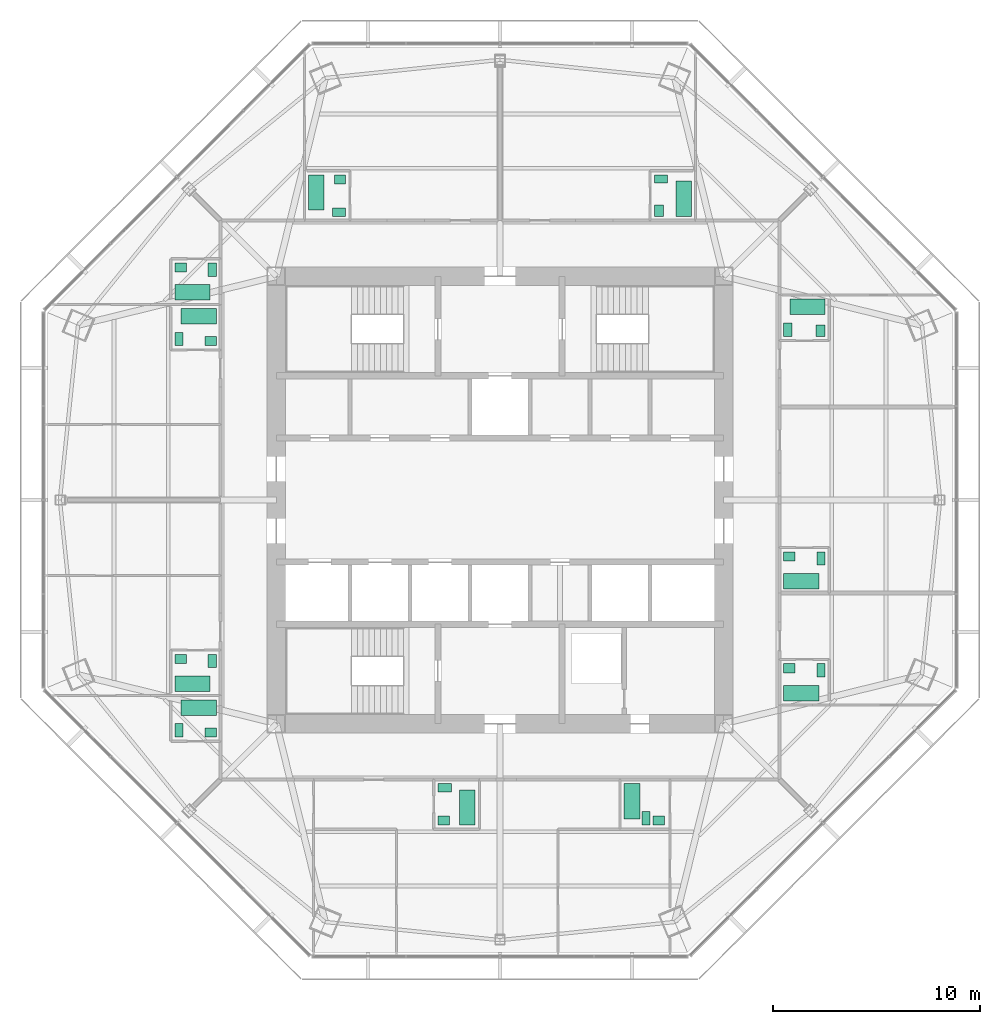
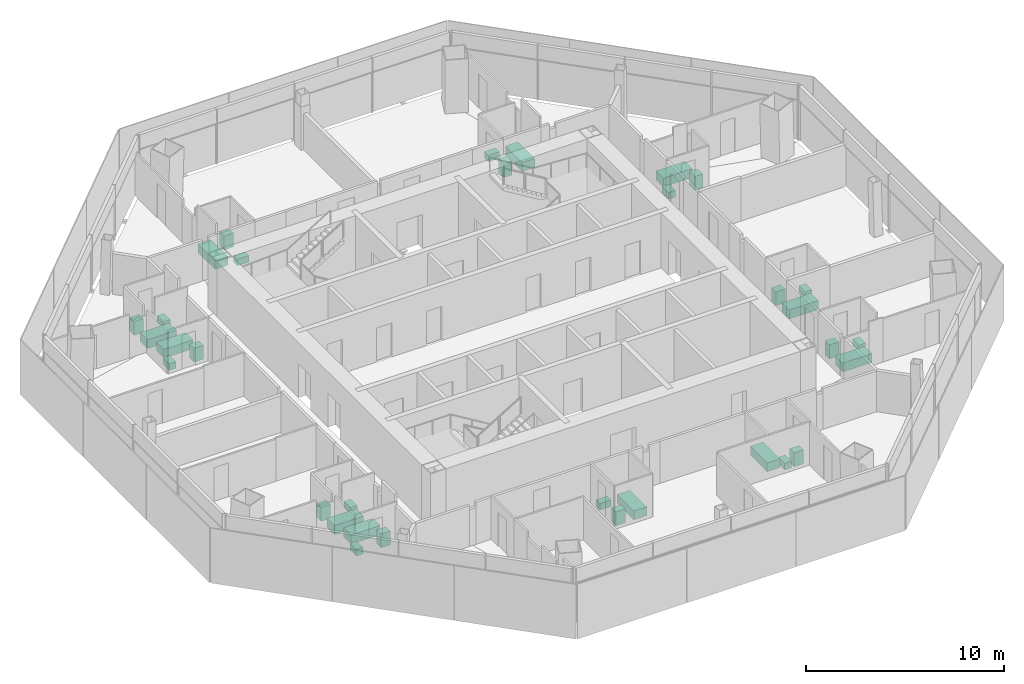
# One storey, part 15 of 15: 33 sanitary terminals.
"""IFC4 building model written with IfcOpenShell, lengths in metres."""

from ifc_helpers import new_model, si_unit, direction, frame, origin, origin_2d, place, context, subcontext, project, spatial, rectangle, extrude, material, type_object, element, save


model = new_model("IFC4")

# Units and contexts
model_context = context("Model", 3, precision=1e-05, world=origin(), true_north=direction((0.0, 1.0)))
body_context = subcontext(model_context, "Body", "Model", "MODEL_VIEW")
ifc_project = project(units=[si_unit("LENGTHUNIT", "METRE"), si_unit("AREAUNIT", "SQUARE_METRE"), si_unit("VOLUMEUNIT", "CUBIC_METRE"), si_unit("PLANEANGLEUNIT", "RADIAN"), si_unit("MASSUNIT", "GRAM", prefix="KILO")], contexts=[model_context])

# Site, building, storey
site_placement = place(None, origin())
site = spatial("IfcSite", under=ifc_project, at=site_placement, CompositionType="ELEMENT")
building_placement = place(site_placement, origin())
building = spatial("IfcBuilding", under=site, at=building_placement, Name="Mashrafa Tower", CompositionType="ELEMENT")
storey_placement = place(building_placement, frame((0.0, 0.0, 210.800048828125)))
storey = spatial("IfcBuildingStorey", under=building, at=storey_placement, Name="L48", CompositionType="ELEMENT", Elevation=210.800048828125)

# Sanitary terminals
ifc_material_1 = material(Name="Enamelled steel", Category="steel")
sanitary_terminal_type_1 = type_object("IfcSanitaryTerminalType", Name="Bath 1700 x 750", PredefinedType="BATH", material=ifc_material_1)
for number, where, z_axis, x_axis, name in (
    (1, (14.550048828125, -9.324951171875, 0.0), (0.0, 0.0, 1.0), (1.0, 0.0, 0.0), "Bath Apartment 4801 Bathroom"),
    (2, (14.550048828125, -3.925048828125, 0.0), (0.0, 0.0, 1.0), (1.0, 0.0, 0.0), "Bath Apartment 4802 Bathroom"),
    (3, (14.85009765625, 9.324951171875, 0.0), (0.0, 0.0, 1.0), (-1.0, 0.0, 0.0), "Bath Apartment 4803 Bathroom"),
    (4, (8.875, 14.550048828125, 0.0), (0.0, 0.0, 1.0), (0.0, 1.0, 0.0), "Bath Apartment 4804 Bathroom"),
    (5, (-8.875, 14.85009765625, 0.0), (0.0, 0.0, 1.0), (0.0, -1.0, 0.0), "Bath Apartment 4805 Bathroom"),
    (6, (-14.85009765625, 10.02490234375, 0.0), (0.0, 0.0, 1.0), (1.0, 0.0, 0.0), "Bath Apartment 4806 En-suite Bathroom"),
    (7, (-14.550048828125, 8.875, 0.0), (0.0, 0.0, 1.0), (-1.0, 0.0, 0.0), "Bath Apartment 4806 Bathroom"),
    (8, (-14.550048828125, -10.02490234375, 0.0), (0.0, 0.0, 1.0), (-1.0, 0.0, 0.0), "Bath Apartment 4807 En-suite Bathroom"),
    (9, (-14.85009765625, -8.875, 0.0), (0.0, 0.0, 1.0), (1.0, 0.0, 0.0), "Bath Apartment 4807 Bathroom"),
    (10, (-1.574951171875, -14.85009765625, 0.0), (0.0, 0.0, 1.0), (0.0, 1.0, 0.0), "Bath Apartment 4808 Bathroom"),
    (11, (6.375, -14.550048828125, 0.0), (0.0, 0.0, 1.0), (0.0, -1.0, 0.0), "Bath Apartment 4808 En-suite Bathroom"),
):
    element("IfcSanitaryTerminal", number, at=place(storey_placement, frame(where, z_axis=z_axis, x_axis=x_axis)), inside=storey, type_object=sanitary_terminal_type_1, Name=name, PredefinedType="BATH", context=body_context, shape_type="SweptSolid", body=[
        extrude(rectangle(XDim=1.699951171875, YDim=0.75, at=origin_2d()), origin(), (0.0, 0.0, 1.0), 0.550048828125),
    ])
ifc_material_2 = material(Name="Vitreous china")
sanitary_terminal_type_2 = type_object("IfcSanitaryTerminalType", Name="Toilet pan 400 x 650", PredefinedType="TOILETPAN", material=ifc_material_2)
for number, where, z_axis, x_axis, name in (
    (12, (15.5, -8.22509765625, 0.0), (0.0, 0.0, 1.0), (-1.0, 0.0, 0.0), "Toilet pan Apartment 4801 Bathroom"),
    (13, (15.5, -2.824951171875, 0.0), (0.0, 0.0, 1.0), (-1.0, 0.0, 0.0), "Toilet pan Apartment 4802 Bathroom"),
    (14, (13.89990234375, 8.22509765625, 0.0), (0.0, 0.0, 1.0), (1.0, 0.0, 0.0), "Toilet pan Apartment 4803 Bathroom"),
    (15, (7.77490234375, 15.5, 0.0), (0.0, 0.0, 1.0), (0.0, -1.0, 0.0), "Toilet pan Apartment 4804 Bathroom"),
    (16, (-7.77490234375, 13.89990234375, 0.0), (0.0, 0.0, 1.0), (0.0, 1.0, 0.0), "Toilet pan Apartment 4805 Bathroom"),
    (17, (-13.89990234375, 11.125, 0.0), (0.0, 0.0, 1.0), (-1.0, 0.0, 0.0), "Toilet pan Apartment 4806 En-suite Bathroom"),
    (18, (-15.5, 7.77490234375, 0.0), (0.0, 0.0, 1.0), (1.0, 0.0, 0.0), "Toilet pan Apartment 4806 Bathroom"),
    (19, (-15.5, -11.125, 0.0), (0.0, 0.0, 1.0), (1.0, 0.0, 0.0), "Toilet pan Apartment 4807 En-suite Bathroom"),
    (20, (-13.89990234375, -7.77490234375, 0.0), (0.0, 0.0, 1.0), (-1.0, 0.0, 0.0), "Toilet pan Apartment 4807 Bathroom"),
    (21, (-2.675048828125, -13.89990234375, 0.0), (0.0, 0.0, 1.0), (0.0, -1.0, 0.0), "Toilet pan Apartment 4808 Bathroom"),
    (22, (7.050048828125, -15.375, 0.0), (0.0, 0.0, 1.0), (1.0, 0.0, 0.0), "Toilet pan Apartment 4808 En-suite Bathroom"),
):
    element("IfcSanitaryTerminal", number, at=place(storey_placement, frame(where, z_axis=z_axis, x_axis=x_axis)), inside=storey, type_object=sanitary_terminal_type_2, Name=name, PredefinedType="TOILETPAN", context=body_context, shape_type="SweptSolid", body=[
        extrude(rectangle(XDim=0.39990234375, YDim=0.64990234375, at=origin_2d()), origin(), (0.0, 0.0, 1.0), 0.39990234375),
    ])
ifc_material_3 = material(Name="Vitreous china")
sanitary_terminal_type_3 = type_object("IfcSanitaryTerminalType", Name="Wash basin 550 x 450", PredefinedType="WASHHANDBASIN", material=ifc_material_3)
for number, where, z_axis, x_axis, name in (
    (23, (13.97509765625, -8.125, 0.0), (0.0, 0.0, 1.0), (-1.0, 0.0, 0.0), "Wash basin Apartment 4801 Bathroom"),
    (24, (13.97509765625, -2.72509765625, 0.0), (0.0, 0.0, 1.0), (-1.0, 0.0, 0.0), "Wash basin Apartment 4802 Bathroom"),
    (25, (15.47509765625, 8.175048828125, 0.0), (0.0, 0.0, 1.0), (0.0, 1.0, 0.0), "Wash basin Apartment 4803 Bathroom"),
    (26, (7.675048828125, 13.97509765625, 0.0), (0.0, 0.0, 1.0), (0.0, -1.0, 0.0), "Wash basin Apartment 4804 Bathroom"),
    (27, (-7.72509765625, 15.47509765625, 0.0), (0.0, 0.0, 1.0), (-1.0, 0.0, 0.0), "Wash basin Apartment 4805 Bathroom"),
    (28, (-15.425048828125, 11.22509765625, 0.0), (0.0, 0.0, 1.0), (-1.0, 0.0, 0.0), "Wash basin Apartment 4806 En-suite Bathroom"),
    (29, (-13.97509765625, 7.675048828125, 0.0), (0.0, 0.0, 1.0), (1.0, 0.0, 0.0), "Wash basin Apartment 4806 Bathroom"),
    (30, (-13.97509765625, -11.22509765625, 0.0), (0.0, 0.0, 1.0), (1.0, 0.0, 0.0), "Wash basin Apartment 4807 En-suite Bathroom"),
    (31, (-15.425048828125, -7.675048828125, 0.0), (0.0, 0.0, 1.0), (-1.0, 0.0, 0.0), "Wash basin Apartment 4807 Bathroom"),
    (32, (-2.72509765625, -15.47509765625, 0.0), (0.0, 0.0, 1.0), (1.0, 0.0, 0.0), "Wash basin Apartment 4808 Bathroom"),
    (33, (7.675048828125, -15.47509765625, 0.0), (0.0, 0.0, 1.0), (1.0, 0.0, 0.0), "Wash basin Apartment 4808 En-suite Bathroom"),
):
    element("IfcSanitaryTerminal", number, at=place(storey_placement, frame(where, z_axis=z_axis, x_axis=x_axis)), inside=storey, type_object=sanitary_terminal_type_3, Name=name, PredefinedType="WASHHANDBASIN", context=body_context, shape_type="SweptSolid", body=[
        extrude(rectangle(XDim=0.550048828125, YDim=0.449951171875, at=origin_2d()), origin(), (0.0, 0.0, 1.0), 0.85009765625),
    ])

save(model, "model.ifc")
